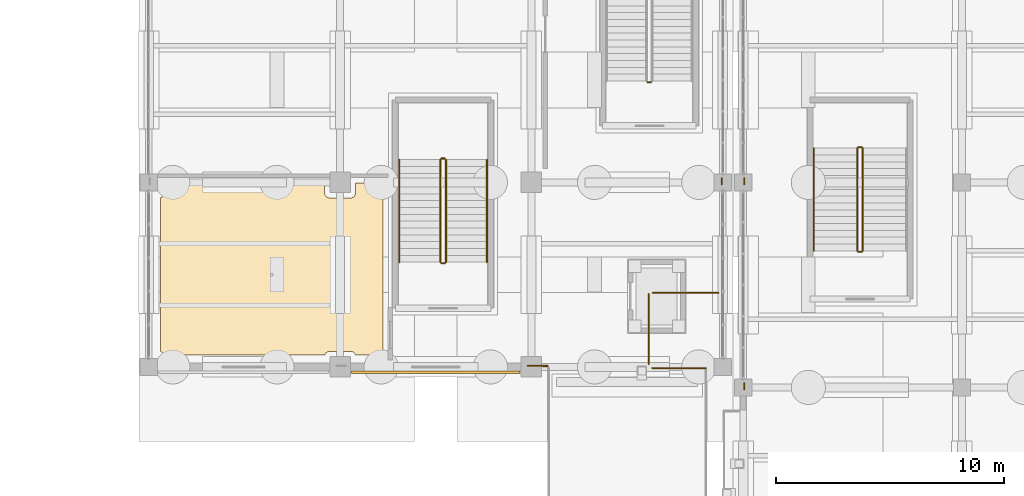
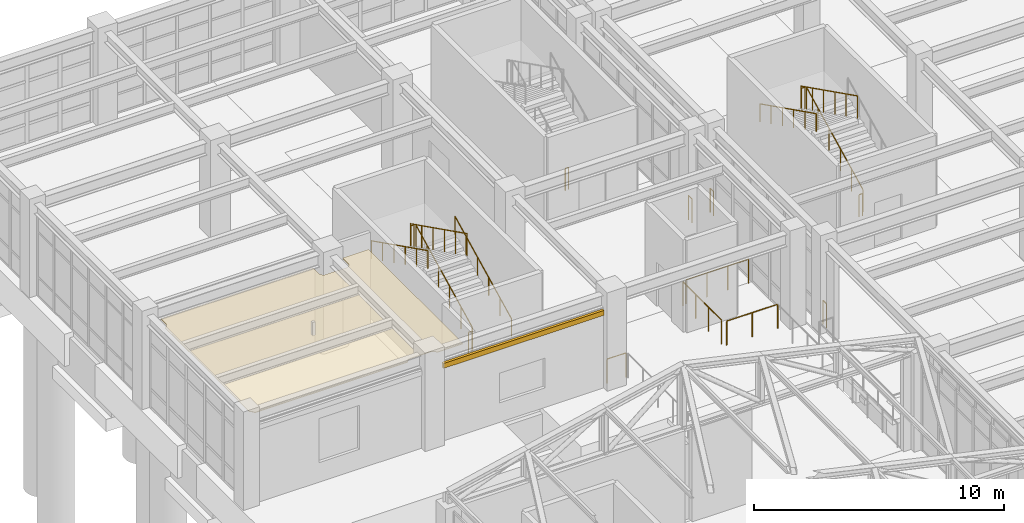
# One storey, part 134 of 139: 19 railings, 2 coverings.
"""IFC4 building model written with IfcOpenShell, lengths in metres."""

from ifc_helpers import new_model, si_unit, direction, frame, origin, origin_2d, place, context, subcontext, project, spatial, polyline, rectangle, circle, outline, extrude, material, layer, layer_set, type_object, element, save


model = new_model("IFC4")

# Units and contexts
model_context = context("Model", 3, precision=1e-05, world=origin(), true_north=direction((0.0, 1.0)))
body_context = subcontext(model_context, "Body", "Model", "MODEL_VIEW")
ifc_project = project(units=[si_unit("LENGTHUNIT", "METRE"), si_unit("AREAUNIT", "SQUARE_METRE"), si_unit("VOLUMEUNIT", "CUBIC_METRE"), si_unit("PLANEANGLEUNIT", "RADIAN"), si_unit("MASSUNIT", "GRAM", prefix="KILO")], contexts=[model_context])

# Site, building, storey
site_placement = place(None, origin())
site = spatial("IfcSite", under=ifc_project, at=site_placement, CompositionType="ELEMENT")
building_placement = place(site_placement, origin())
building = spatial("IfcBuilding", under=site, at=building_placement, Name="Canglan Escarpment Cableway Terminal", CompositionType="ELEMENT")
storey_placement = place(building_placement, frame((0.0, 0.0, 14.39990234375)))
storey = spatial("IfcBuildingStorey", under=building, at=storey_placement, Name="L03", CompositionType="ELEMENT", Elevation=14.39990234375)

# Coverings
ifc_material_1 = material(Name="Moisture-resistant acoustic gypsum ceiling", Category="gypsum")
ifc_layer_1 = layer(ifc_material_1, 0.030029296875, Name="Moisture-resistant acoustic gypsum ceiling")
ifc_layer_set_1 = layer_set([ifc_layer_1], Name="Moisture-resistant acoustic gypsum ceiling")
covering_type_1 = type_object("IfcCoveringType", Name="COV-CEIL-GYPSUM-30", PredefinedType="CEILING", material=ifc_layer_set_1)
covering_1_placement = place(storey_placement, frame((0.0, 0.0, 3.84619140625)))
element("IfcCovering", 1, at=covering_1_placement, inside=storey, type_object=covering_type_1, Name="Auxiliary Traction Drive Bay suspended acoustic ceiling", PredefinedType="CEILING", context=body_context, shape_type="SweptSolid", body=[
    extrude(outline(polyline([(112.033203125, 89.567138671875), (112.031494140625, 89.56787109375), (112.02978515625, 89.56884765625), (112.0283203125, 89.56982421875), (112.02685546875, 89.571044921875), (112.025390625, 89.572265625), (112.024169921875, 89.57373046875), (112.023193359375, 89.5751953125), (112.022216796875, 89.576904296875), (112.021484375, 89.57861328125), (112.020751953125, 89.580322265625), (112.0205078125, 89.582275390625), (112.02001953125, 89.583984375), (112.02001953125, 89.5859375), (112.02001953125, 96.31396484375), (112.02001953125, 96.31591796875), (112.0205078125, 96.31787109375), (112.020751953125, 96.319580078125), (112.021484375, 96.3212890625), (112.022216796875, 96.322998046875), (112.023193359375, 96.32470703125), (112.024169921875, 96.326416015625), (112.025390625, 96.32763671875), (112.02685546875, 96.3291015625), (112.0283203125, 96.330078125), (112.02978515625, 96.331298828125), (112.031494140625, 96.33203125), (112.033203125, 96.332763671875), (112.043701171875, 96.336669921875), (112.044677734375, 96.3369140625), (112.063232421875, 96.345703125), (112.064208984375, 96.34619140625), (112.081787109375, 96.356689453125), (112.08251953125, 96.357421875), (112.09912109375, 96.36962890625), (112.099853515625, 96.370361328125), (112.115234375, 96.384033203125), (112.115966796875, 96.384765625), (112.129638671875, 96.400146484375), (112.13037109375, 96.40087890625), (112.142578125, 96.41748046875), (112.143310546875, 96.418212890625), (112.15380859375, 96.435791015625), (112.154296875, 96.436767578125), (112.1630859375, 96.455322265625), (112.163330078125, 96.456298828125), (112.17041015625, 96.4755859375), (112.170654296875, 96.4765625), (112.17578125, 96.49658203125), (112.17578125, 96.49755859375), (112.178955078125, 96.51806640625), (112.178955078125, 96.518798828125), (112.179931640625, 96.539794921875), (112.179931640625, 96.540283203125), (112.179931640625, 96.9599609375), (112.18017578125, 96.9619140625), (112.180419921875, 96.9638671875), (112.180908203125, 96.9658203125), (112.181396484375, 96.9677734375), (112.182373046875, 96.969482421875), (112.183349609375, 96.97119140625), (112.1845703125, 96.97265625), (112.185791015625, 96.97412109375), (112.187255859375, 96.9755859375), (112.18896484375, 96.9765625), (112.190673828125, 96.9775390625), (112.1923828125, 96.978515625), (112.194091796875, 96.97900390625), (112.196044921875, 96.9794921875), (112.197998046875, 96.97998046875), (112.199951171875, 96.97998046875), (119.199951171875, 96.97998046875), (119.201904296875, 96.97998046875), (119.203857421875, 96.9794921875), (119.205810546875, 96.97900390625), (119.207763671875, 96.978515625), (119.20947265625, 96.9775390625), (119.211181640625, 96.9765625), (119.212646484375, 96.9755859375), (119.214111328125, 96.97412109375), (119.215576171875, 96.97265625), (119.216552734375, 96.97119140625), (119.217529296875, 96.969482421875), (119.218505859375, 96.9677734375), (119.218994140625, 96.9658203125), (119.219482421875, 96.9638671875), (119.219970703125, 96.9619140625), (119.219970703125, 96.9599609375), (119.219970703125, 96.540283203125), (119.219970703125, 96.539794921875), (119.220947265625, 96.518798828125), (119.22119140625, 96.51806640625), (119.22412109375, 96.49755859375), (119.224365234375, 96.49658203125), (119.2294921875, 96.4765625), (119.2294921875, 96.4755859375), (119.236572265625, 96.456298828125), (119.237060546875, 96.455322265625), (119.245849609375, 96.436767578125), (119.24609375, 96.435791015625), (119.2568359375, 96.418212890625), (119.25732421875, 96.41748046875), (119.26953125, 96.40087890625), (119.270263671875, 96.400146484375), (119.2841796875, 96.384765625), (119.284912109375, 96.384033203125), (119.300048828125, 96.370361328125), (119.30078125, 96.36962890625), (119.3173828125, 96.357421875), (119.318115234375, 96.356689453125), (119.3359375, 96.34619140625), (119.336669921875, 96.345703125), (119.35546875, 96.3369140625), (119.356201171875, 96.336669921875), (119.375732421875, 96.32958984375), (119.376708984375, 96.329345703125), (119.396484375, 96.32421875), (119.397705078125, 96.32421875), (119.41796875, 96.321044921875), (119.4189453125, 96.321044921875), (119.439697265625, 96.320068359375), (119.440185546875, 96.320068359375), (120.35986328125, 96.320068359375), (120.360107421875, 96.320068359375), (120.381103515625, 96.321044921875), (120.382080078125, 96.321044921875), (120.40234375, 96.32421875), (120.4033203125, 96.32421875), (120.42333984375, 96.329345703125), (120.42431640625, 96.32958984375), (120.443603515625, 96.336669921875), (120.444580078125, 96.3369140625), (120.46337890625, 96.345703125), (120.464111328125, 96.34619140625), (120.481689453125, 96.356689453125), (120.482666015625, 96.357421875), (120.499267578125, 96.36962890625), (120.5, 96.370361328125), (120.51513671875, 96.384033203125), (120.515869140625, 96.384765625), (120.52978515625, 96.400146484375), (120.530517578125, 96.40087890625), (120.54248046875, 96.41748046875), (120.543212890625, 96.418212890625), (120.5537109375, 96.435791015625), (120.55419921875, 96.436767578125), (120.56298828125, 96.455322265625), (120.5634765625, 96.456298828125), (120.5703125, 96.4755859375), (120.570556640625, 96.4765625), (120.57568359375, 96.49658203125), (120.57568359375, 96.49755859375), (120.578857421875, 96.51806640625), (120.5791015625, 96.518798828125), (120.580078125, 96.539794921875), (120.580078125, 96.540283203125), (120.580078125, 96.9599609375), (120.580078125, 96.9619140625), (120.580322265625, 96.9638671875), (120.580810546875, 96.9658203125), (120.58154296875, 96.9677734375), (120.58251953125, 96.969482421875), (120.58349609375, 96.97119140625), (120.58447265625, 96.97265625), (120.5859375, 96.97412109375), (120.58740234375, 96.9755859375), (120.5888671875, 96.9765625), (120.590576171875, 96.9775390625), (120.59228515625, 96.978515625), (120.59423828125, 96.97900390625), (120.59619140625, 96.9794921875), (120.597900390625, 96.97998046875), (120.60009765625, 96.97998046875), (121.760009765625, 96.97998046875), (121.761962890625, 96.97998046875), (121.763916015625, 96.9794921875), (121.765869140625, 96.97900390625), (121.767578125, 96.978515625), (121.769287109375, 96.9775390625), (121.77099609375, 96.9765625), (121.772705078125, 96.9755859375), (121.774169921875, 96.97412109375), (121.775390625, 96.97265625), (121.776611328125, 96.97119140625), (121.777587890625, 96.969482421875), (121.778564453125, 96.9677734375), (121.779052734375, 96.9658203125), (121.779541015625, 96.9638671875), (121.77978515625, 96.9619140625), (121.780029296875, 96.9599609375), (121.780029296875, 89.43994140625), (121.77978515625, 89.43798828125), (121.779541015625, 89.43603515625), (121.779052734375, 89.43408203125), (121.778564453125, 89.432373046875), (121.777587890625, 89.4306640625), (121.776611328125, 89.428955078125), (121.775390625, 89.42724609375), (121.774169921875, 89.42578125), (121.772705078125, 89.424560546875), (121.77099609375, 89.42333984375), (121.769287109375, 89.42236328125), (121.767578125, 89.42138671875), (121.765869140625, 89.4208984375), (121.763916015625, 89.42041015625), (121.761962890625, 89.420166015625), (121.760009765625, 89.419921875), (120.5859375, 89.419921875), (120.583984375, 89.420166015625), (120.582275390625, 89.42041015625), (120.580322265625, 89.4208984375), (120.57861328125, 89.42138671875), (120.576904296875, 89.422119140625), (120.5751953125, 89.423095703125), (120.57373046875, 89.42431640625), (120.572265625, 89.42529296875), (120.571044921875, 89.4267578125), (120.56982421875, 89.42822265625), (120.56884765625, 89.4296875), (120.56787109375, 89.431396484375), (120.567138671875, 89.433349609375), (120.5634765625, 89.443603515625), (120.56298828125, 89.444580078125), (120.55419921875, 89.46337890625), (120.5537109375, 89.464111328125), (120.543212890625, 89.481689453125), (120.54248046875, 89.482666015625), (120.530517578125, 89.499267578125), (120.52978515625, 89.5), (120.515869140625, 89.51513671875), (120.51513671875, 89.515869140625), (120.5, 89.52978515625), (120.499267578125, 89.530517578125), (120.482666015625, 89.54248046875), (120.481689453125, 89.543212890625), (120.464111328125, 89.5537109375), (120.46337890625, 89.55419921875), (120.444580078125, 89.56298828125), (120.443603515625, 89.5634765625), (120.42431640625, 89.5703125), (120.42333984375, 89.570556640625), (120.4033203125, 89.57568359375), (120.40234375, 89.57568359375), (120.382080078125, 89.578857421875), (120.381103515625, 89.5791015625), (120.360107421875, 89.580078125), (120.35986328125, 89.580078125), (119.440185546875, 89.580078125), (119.439697265625, 89.580078125), (119.4189453125, 89.5791015625), (119.41796875, 89.578857421875), (119.397705078125, 89.57568359375), (119.396484375, 89.57568359375), (119.376708984375, 89.570556640625), (119.375732421875, 89.5703125), (119.356201171875, 89.5634765625), (119.35546875, 89.56298828125), (119.336669921875, 89.55419921875), (119.3359375, 89.5537109375), (119.318115234375, 89.543212890625), (119.3173828125, 89.54248046875), (119.30078125, 89.530517578125), (119.300048828125, 89.52978515625), (119.284912109375, 89.515869140625), (119.2841796875, 89.51513671875), (119.270263671875, 89.5), (119.26953125, 89.499267578125), (119.25732421875, 89.482666015625), (119.2568359375, 89.481689453125), (119.24609375, 89.464111328125), (119.245849609375, 89.46337890625), (119.237060546875, 89.444580078125), (119.236572265625, 89.443603515625), (119.23291015625, 89.433349609375), (119.232177734375, 89.431396484375), (119.231201171875, 89.4296875), (119.230224609375, 89.42822265625), (119.22900390625, 89.4267578125), (119.227783203125, 89.42529296875), (119.226318359375, 89.42431640625), (119.224609375, 89.423095703125), (119.22314453125, 89.422119140625), (119.221435546875, 89.42138671875), (119.219482421875, 89.4208984375), (119.2177734375, 89.42041015625), (119.2158203125, 89.420166015625), (119.214111328125, 89.419921875), (112.18603515625, 89.419921875), (112.18408203125, 89.420166015625), (112.18212890625, 89.42041015625), (112.180419921875, 89.4208984375), (112.1787109375, 89.42138671875), (112.177001953125, 89.422119140625), (112.17529296875, 89.423095703125), (112.173583984375, 89.42431640625), (112.17236328125, 89.42529296875), (112.1708984375, 89.4267578125), (112.169921875, 89.42822265625), (112.168701171875, 89.4296875), (112.16796875, 89.431396484375), (112.167236328125, 89.433349609375), (112.163330078125, 89.443603515625), (112.1630859375, 89.444580078125), (112.154296875, 89.46337890625), (112.15380859375, 89.464111328125), (112.143310546875, 89.481689453125), (112.142578125, 89.482666015625), (112.13037109375, 89.499267578125), (112.129638671875, 89.5), (112.115966796875, 89.51513671875), (112.115234375, 89.515869140625), (112.099853515625, 89.52978515625), (112.09912109375, 89.530517578125), (112.08251953125, 89.54248046875), (112.081787109375, 89.543212890625), (112.064208984375, 89.5537109375), (112.063232421875, 89.55419921875), (112.044677734375, 89.56298828125), (112.043701171875, 89.5634765625), (112.033203125, 89.567138671875)])), origin(), (0.0, 0.0, 1.0), 0.02978515625),
])
ifc_material_2 = material(Name="Carved classical limestone cornice", Category="masonry")
ifc_layer_2 = layer(ifc_material_2, 0.1201171875, Name="Carved classical limestone cornice")
ifc_layer_set_2 = layer_set([ifc_layer_2], Name="Carved classical limestone cornice")
covering_type_2 = type_object("IfcCoveringType", Name="COV-CORNICE-STONE", PredefinedType="CLADDING", material=ifc_layer_set_2)
covering_2_placement = place(storey_placement, frame((124.10009765625, 88.669921875, 3.630859375), z_axis=(0.0, 0.0, 1.0), x_axis=(1.0, 0.0, 0.0)))
element("IfcCovering", 2, at=covering_2_placement, inside=storey, type_object=covering_type_2, Name="Classical carved limestone cornice CL-01", PredefinedType="CLADDING", context=body_context, shape_type="SweptSolid", body=[
    extrude(rectangle(XDim=7.39990234375, YDim=0.1201171875, at=origin_2d()), origin(), (0.0, 0.0, 1.0), 0.239990234375),
])

# Railings
ifc_material_3 = material(Name="Carved limestone and anodized bronze balustrade", Category="masonry")
railing_type_1 = type_object("IfcRailingType", Name="RL-EXT-BALUSTRADE-1200", PredefinedType="BALUSTRADE", material=ifc_material_3)
railing_1_placement = place(storey_placement, frame((129.0078125, 88.940673828125, 0.0)))
element("IfcRailing", 3, at=railing_1_placement, inside=storey, type_object=railing_type_1, Name="Classical terrace balustrade guard GD-01 (L03)", PredefinedType="BALUSTRADE", context=body_context, shape_type="SweptSolid", body=[
    extrude(circle(Radius=0.02392578125, at=origin_2d()), frame((0.0, 0.0, 1.17578125), z_axis=(-0.999942875716, 0.010688559572, 0.0), x_axis=(-0.010688559572, -0.999942875716, 0.0)), (0.0, 0.0, 1.0), 0.867919921875),
    extrude(circle(Radius=0.02099609375, at=origin_2d()), origin(), (0.0, 0.0, 1.0), 1.15185546875),
    extrude(circle(Radius=0.02099609375, at=origin_2d()), frame((-0.867919921875, 0.00927734375, 0.0)), (0.0, 0.0, 1.0), 1.15185546875),
])
railing_2_placement = place(storey_placement, frame((136.64990234375, 97.18505859375, 0.0)))
element("IfcRailing", 4, at=railing_2_placement, inside=storey, type_object=railing_type_1, Name="Classical terrace balustrade guard GD-01 (L03)", PredefinedType="BALUSTRADE", context=body_context, shape_type="SweptSolid", body=[
    extrude(circle(Radius=0.02392578125, at=origin_2d()), frame((0.0, 0.0, 1.17578125), z_axis=(0.0, -1.0, 0.0), x_axis=(1.0, 0.0, 0.0)), (0.0, 0.0, 1.0), 0.27001953125),
    extrude(circle(Radius=0.02099609375, at=origin_2d()), origin(), (0.0, 0.0, 1.0), 1.15185546875),
    extrude(circle(Radius=0.02099609375, at=origin_2d()), frame((0.0, -0.27001953125, 0.0)), (0.0, 0.0, 1.0), 1.15185546875),
])
railing_3_placement = place(storey_placement, frame((136.510009765625, 92.14990234375, 0.0)))
element("IfcRailing", 5, at=railing_3_placement, inside=storey, type_object=railing_type_1, Name="Classical terrace balustrade guard GD-01 (L03)", PredefinedType="BALUSTRADE", context=body_context, shape_type="SweptSolid", body=[
    extrude(circle(Radius=0.02392578125, at=origin_2d()), frame((0.0, 0.0, 1.17578125), z_axis=(-1.0, 0.0, 0.0), x_axis=(0.0, -1.0, 0.0)), (0.0, 0.0, 1.0), 2.880126953125),
    extrude(circle(Radius=0.02099609375, at=origin_2d()), origin(), (0.0, 0.0, 1.0), 1.15185546875),
    extrude(circle(Radius=0.02099609375, at=origin_2d()), frame((-0.9599609375, 0.0, 0.0)), (0.0, 0.0, 1.0), 1.15185546875),
    extrude(circle(Radius=0.02099609375, at=origin_2d()), frame((-1.920166015625, 0.0, 0.0)), (0.0, 0.0, 1.0), 1.15185546875),
    extrude(circle(Radius=0.02099609375, at=origin_2d()), frame((-2.880126953125, 0.0, 0.0)), (0.0, 0.0, 1.0), 1.15185546875),
])
railing_4_placement = place(storey_placement, frame((133.4560546875, 92.1005859375, 0.0)))
element("IfcRailing", 6, at=railing_4_placement, inside=storey, type_object=railing_type_1, Name="Classical terrace balustrade guard GD-01 (L03)", PredefinedType="BALUSTRADE", context=body_context, shape_type="SweptSolid", body=[
    extrude(circle(Radius=0.02392578125, at=origin_2d()), frame((0.0, 0.0, 1.17578125), z_axis=(-0.001984438068, -0.999998031001, 0.0), x_axis=(0.999998031001, -0.001984438068, 0.0)), (0.0, 0.0, 1.0), 3.07568359375),
    extrude(circle(Radius=0.02099609375, at=origin_2d()), origin(), (0.0, 0.0, 1.0), 1.15185546875),
    extrude(circle(Radius=0.02099609375, at=origin_2d()), frame((-0.001953125, -1.025146484375, 0.0)), (0.0, 0.0, 1.0), 1.15185546875),
    extrude(circle(Radius=0.02099609375, at=origin_2d()), frame((-0.004150390625, -2.050537109375, 0.0)), (0.0, 0.0, 1.0), 1.15185546875),
    extrude(circle(Radius=0.02099609375, at=origin_2d()), frame((-0.006103515625, -3.07568359375, 0.0)), (0.0, 0.0, 1.0), 1.15185546875),
])
railing_5_placement = place(storey_placement, frame((133.599365234375, 88.85107421875, 0.0)))
element("IfcRailing", 7, at=railing_5_placement, inside=storey, type_object=railing_type_1, Name="Classical terrace balustrade guard GD-01 (L03)", PredefinedType="BALUSTRADE", context=body_context, shape_type="SweptSolid", body=[
    extrude(circle(Radius=0.02392578125, at=origin_2d()), frame((0.0, 0.0, 1.17578125), z_axis=(0.99999662326, -0.002598743823, 0.0), x_axis=(0.002598743823, 0.99999662326, 0.0)), (0.0, 0.0, 1.0), 2.3486328125),
    extrude(circle(Radius=0.02099609375, at=origin_2d()), origin(), (0.0, 0.0, 1.0), 1.15185546875),
    extrude(circle(Radius=0.02099609375, at=origin_2d()), frame((1.17431640625, -0.0029296875, 0.0)), (0.0, 0.0, 1.0), 1.15185546875),
    extrude(circle(Radius=0.02099609375, at=origin_2d()), frame((2.3486328125, -0.006103515625, 0.0)), (0.0, 0.0, 1.0), 1.15185546875),
])
for number, where, name in (
    (8, (137.64990234375, 87.9150390625, 0.0), "Classical terrace balustrade guard GD-01 (L03)"),
    (9, (137.64990234375, 96.9150390625, 0.0), "Classical terrace balustrade guard GD-01 (L03)"),
):
    element("IfcRailing", number, at=place(storey_placement, frame(where)), inside=storey, type_object=railing_type_1, Name=name, PredefinedType="BALUSTRADE", context=body_context, shape_type="SweptSolid", body=[
        extrude(circle(Radius=0.02392578125, at=origin_2d()), frame((0.0, 0.0, 1.17578125), z_axis=(0.0, 1.0, 0.0), x_axis=(-1.0, 0.0, 0.0)), (0.0, 0.0, 1.0), 0.27001953125),
        extrude(circle(Radius=0.02099609375, at=origin_2d()), origin(), (0.0, 0.0, 1.0), 1.15185546875),
        extrude(circle(Radius=0.02099609375, at=origin_2d()), frame((0.0, 0.27001953125, 0.0)), (0.0, 0.0, 1.0), 1.15185546875),
    ])
ifc_material_4 = material(Name="Powder-coated steel stair balustrade", Category="steel")
railing_type_2 = type_object("IfcRailingType", Name="RL-STR-GUARD-1100", PredefinedType="BALUSTRADE", material=ifc_material_4)
railing_6_placement = place(storey_placement, frame((124.550048828125, 93.5, 0.150146484375)))
element("IfcRailing", 10, at=railing_6_placement, inside=storey, type_object=railing_type_2, Name="L03 ST-12 stair guard 1", PredefinedType="BALUSTRADE", context=body_context, shape_type="SweptSolid", body=[
    extrude(circle(Radius=0.02392578125, at=origin_2d()), frame((0.0, 0.0, 1.076171875), z_axis=(0.0, 0.894427191, 0.4472135955), x_axis=(-1.0, 0.0, 0.0)), (0.0, 0.0, 1.0), 5.03125),
    extrude(circle(Radius=0.02099609375, at=origin_2d()), origin(), (0.0, 0.0, 1.0), 1.052001953125),
    extrude(circle(Radius=0.02099609375, at=origin_2d()), frame((0.0, 0.89990234375, 0.449951171875)), (0.0, 0.0, 1.0), 1.052001953125),
    extrude(circle(Radius=0.02099609375, at=origin_2d()), frame((0.0, 1.800048828125, 0.89990234375)), (0.0, 0.0, 1.0), 1.052001953125),
    extrude(circle(Radius=0.02099609375, at=origin_2d()), frame((0.0, 2.699951171875, 1.35009765625)), (0.0, 0.0, 1.0), 1.052001953125),
    extrude(circle(Radius=0.02099609375, at=origin_2d()), frame((0.0, 3.60009765625, 1.800048828125)), (0.0, 0.0, 1.0), 1.052001953125),
    extrude(circle(Radius=0.02099609375, at=origin_2d()), frame((0.0, 4.5, 2.25)), (0.0, 0.0, 1.0), 1.052001953125),
])
railing_7_placement = place(storey_placement, frame((124.5, 98.050048828125, 2.400146484375)))
element("IfcRailing", 11, at=railing_7_placement, inside=storey, type_object=railing_type_2, Name="L03 ST-12 stair guard 2", PredefinedType="BALUSTRADE", context=body_context, shape_type="SweptSolid", body=[
    extrude(circle(Radius=0.02392578125, at=origin_2d()), frame((0.0, 0.0, 1.076171875), z_axis=(-1.0, 0.0, 0.0), x_axis=(0.0, -1.0, 0.0)), (0.0, 0.0, 1.0), 0.14990234375),
    extrude(circle(Radius=0.02099609375, at=origin_2d()), origin(), (0.0, 0.0, 1.0), 1.052001953125),
    extrude(circle(Radius=0.02099609375, at=origin_2d()), frame((-0.14990234375, 0.0, 0.0)), (0.0, 0.0, 1.0), 1.052001953125),
])
railing_8_placement = place(storey_placement, frame((124.300048828125, 98.0, 2.550048828125)))
element("IfcRailing", 12, at=railing_8_placement, inside=storey, type_object=railing_type_2, Name="L03 ST-12 stair guard 3", PredefinedType="BALUSTRADE", context=body_context, shape_type="SweptSolid", body=[
    extrude(circle(Radius=0.02392578125, at=origin_2d()), frame((0.0, 0.0, 1.076171875), z_axis=(0.0, -0.894427191, 0.4472135955), x_axis=(1.0, 0.0, 0.0)), (0.0, 0.0, 1.0), 5.03125),
    extrude(circle(Radius=0.02099609375, at=origin_2d()), origin(), (0.0, 0.0, 1.0), 1.052001953125),
    extrude(circle(Radius=0.02099609375, at=origin_2d()), frame((0.0, -0.89990234375, 0.449951171875)), (0.0, 0.0, 1.0), 1.052001953125),
    extrude(circle(Radius=0.02099609375, at=origin_2d()), frame((0.0, -1.800048828125, 0.89990234375)), (0.0, 0.0, 1.0), 1.052001953125),
    extrude(circle(Radius=0.02099609375, at=origin_2d()), frame((0.0, -2.699951171875, 1.35009765625)), (0.0, 0.0, 1.0), 1.052001953125),
    extrude(circle(Radius=0.02099609375, at=origin_2d()), frame((0.0, -3.60009765625, 1.800048828125)), (0.0, 0.0, 1.0), 1.052001953125),
    extrude(circle(Radius=0.02099609375, at=origin_2d()), frame((0.0, -4.5, 2.25)), (0.0, 0.0, 1.0), 1.052001953125),
])
railing_9_placement = place(storey_placement, frame((124.5, 93.449951171875, 0.0)))
element("IfcRailing", 13, at=railing_9_placement, inside=storey, type_object=railing_type_2, Name="L03 ST-12 stair guard 4", PredefinedType="BALUSTRADE", context=body_context, shape_type="SweptSolid", body=[
    extrude(circle(Radius=0.02392578125, at=origin_2d()), frame((0.0, 0.0, 1.076171875), z_axis=(-1.0, 0.0, 0.0), x_axis=(0.0, -1.0, 0.0)), (0.0, 0.0, 1.0), 0.14990234375),
    extrude(circle(Radius=0.02099609375, at=origin_2d()), origin(), (0.0, 0.0, 1.0), 1.052001953125),
    extrude(circle(Radius=0.02099609375, at=origin_2d()), frame((-0.14990234375, 0.0, 0.0)), (0.0, 0.0, 1.0), 1.052001953125),
])
railing_10_placement = place(storey_placement, frame((133.550048828125, 101.39990234375, 0.0)))
element("IfcRailing", 14, at=railing_10_placement, inside=storey, type_object=railing_type_2, Name="L03 ST-18 stair guard 4", PredefinedType="BALUSTRADE", context=body_context, shape_type="SweptSolid", body=[
    extrude(circle(Radius=0.02392578125, at=origin_2d()), frame((0.0, 0.0, 1.076171875), z_axis=(-1.0, 0.0, 0.0), x_axis=(0.0, -1.0, 0.0)), (0.0, 0.0, 1.0), 0.150146484375),
    extrude(circle(Radius=0.02099609375, at=origin_2d()), origin(), (0.0, 0.0, 1.0), 1.052001953125),
    extrude(circle(Radius=0.02099609375, at=origin_2d()), frame((-0.150146484375, 0.0, 0.0)), (0.0, 0.0, 1.0), 1.052001953125),
])
railing_11_placement = place(storey_placement, frame((142.85009765625, 94.0, 0.150146484375)))
element("IfcRailing", 15, at=railing_11_placement, inside=storey, type_object=railing_type_2, Name="L03 ST-16 stair guard 1", PredefinedType="BALUSTRADE", context=body_context, shape_type="SweptSolid", body=[
    extrude(circle(Radius=0.02392578125, at=origin_2d()), frame((0.0, 0.0, 1.076171875), z_axis=(0.0, 0.894427191, 0.4472135955), x_axis=(-1.0, 0.0, 0.0)), (0.0, 0.0, 1.0), 5.03125),
    extrude(circle(Radius=0.02099609375, at=origin_2d()), origin(), (0.0, 0.0, 1.0), 1.052001953125),
    extrude(circle(Radius=0.02099609375, at=origin_2d()), frame((0.0, 0.89990234375, 0.449951171875)), (0.0, 0.0, 1.0), 1.052001953125),
    extrude(circle(Radius=0.02099609375, at=origin_2d()), frame((0.0, 1.800048828125, 0.89990234375)), (0.0, 0.0, 1.0), 1.052001953125),
    extrude(circle(Radius=0.02099609375, at=origin_2d()), frame((0.0, 2.699951171875, 1.35009765625)), (0.0, 0.0, 1.0), 1.052001953125),
    extrude(circle(Radius=0.02099609375, at=origin_2d()), frame((0.0, 3.60009765625, 1.800048828125)), (0.0, 0.0, 1.0), 1.052001953125),
    extrude(circle(Radius=0.02099609375, at=origin_2d()), frame((0.0, 4.5, 2.25)), (0.0, 0.0, 1.0), 1.052001953125),
])
railing_12_placement = place(storey_placement, frame((142.800048828125, 98.550048828125, 2.400146484375)))
element("IfcRailing", 16, at=railing_12_placement, inside=storey, type_object=railing_type_2, Name="L03 ST-16 stair guard 2", PredefinedType="BALUSTRADE", context=body_context, shape_type="SweptSolid", body=[
    extrude(circle(Radius=0.02392578125, at=origin_2d()), frame((0.0, 0.0, 1.076171875), z_axis=(-1.0, 0.0, 0.0), x_axis=(0.0, -1.0, 0.0)), (0.0, 0.0, 1.0), 0.150146484375),
    extrude(circle(Radius=0.02099609375, at=origin_2d()), origin(), (0.0, 0.0, 1.0), 1.052001953125),
    extrude(circle(Radius=0.02099609375, at=origin_2d()), frame((-0.150146484375, 0.0, 0.0)), (0.0, 0.0, 1.0), 1.052001953125),
])
railing_13_placement = place(storey_placement, frame((142.60009765625, 98.5, 2.550048828125)))
element("IfcRailing", 17, at=railing_13_placement, inside=storey, type_object=railing_type_2, Name="L03 ST-16 stair guard 3", PredefinedType="BALUSTRADE", context=body_context, shape_type="SweptSolid", body=[
    extrude(circle(Radius=0.02392578125, at=origin_2d()), frame((0.0, 0.0, 1.076171875), z_axis=(0.0, -0.894427191, 0.4472135955), x_axis=(1.0, 0.0, 0.0)), (0.0, 0.0, 1.0), 5.03125),
    extrude(circle(Radius=0.02099609375, at=origin_2d()), origin(), (0.0, 0.0, 1.0), 1.052001953125),
    extrude(circle(Radius=0.02099609375, at=origin_2d()), frame((0.0, -0.89990234375, 0.449951171875)), (0.0, 0.0, 1.0), 1.052001953125),
    extrude(circle(Radius=0.02099609375, at=origin_2d()), frame((0.0, -1.800048828125, 0.89990234375)), (0.0, 0.0, 1.0), 1.052001953125),
    extrude(circle(Radius=0.02099609375, at=origin_2d()), frame((0.0, -2.699951171875, 1.35009765625)), (0.0, 0.0, 1.0), 1.052001953125),
    extrude(circle(Radius=0.02099609375, at=origin_2d()), frame((0.0, -3.60009765625, 1.800048828125)), (0.0, 0.0, 1.0), 1.052001953125),
    extrude(circle(Radius=0.02099609375, at=origin_2d()), frame((0.0, -4.5, 2.25)), (0.0, 0.0, 1.0), 1.052001953125),
])
railing_14_placement = place(storey_placement, frame((142.800048828125, 93.949951171875, 0.0)))
element("IfcRailing", 18, at=railing_14_placement, inside=storey, type_object=railing_type_2, Name="L03 ST-16 stair guard 4", PredefinedType="BALUSTRADE", context=body_context, shape_type="SweptSolid", body=[
    extrude(circle(Radius=0.02392578125, at=origin_2d()), frame((0.0, 0.0, 1.076171875), z_axis=(-1.0, 0.0, 0.0), x_axis=(0.0, -1.0, 0.0)), (0.0, 0.0, 1.0), 0.150146484375),
    extrude(circle(Radius=0.02099609375, at=origin_2d()), origin(), (0.0, 0.0, 1.0), 1.052001953125),
    extrude(circle(Radius=0.02099609375, at=origin_2d()), frame((-0.150146484375, 0.0, 0.0)), (0.0, 0.0, 1.0), 1.052001953125),
])
ifc_material_5 = material(Name="Brushed stainless steel 304 handrail", Category="steel")
railing_type_3 = type_object("IfcRailingType", Name="RL-STR-HR-900", PredefinedType="HANDRAIL", material=ifc_material_5)
railing_15_placement = place(storey_placement, frame((126.35009765625, 93.5, 0.150146484375)))
element("IfcRailing", 19, at=railing_15_placement, inside=storey, type_object=railing_type_3, Name="L03 ST-12 stair handrail 1", PredefinedType="HANDRAIL", context=body_context, shape_type="SweptSolid", body=[
    extrude(circle(Radius=0.02392578125, at=origin_2d()), frame((0.0, 0.0, 0.8759765625), z_axis=(0.0, 0.894427191, 0.4472135955), x_axis=(-1.0, 0.0, 0.0)), (0.0, 0.0, 1.0), 5.03125),
    extrude(circle(Radius=0.02099609375, at=origin_2d()), origin(), (0.0, 0.0, 1.0), 0.851806640625),
    extrude(circle(Radius=0.02099609375, at=origin_2d()), frame((0.0, 0.89990234375, 0.449951171875)), (0.0, 0.0, 1.0), 0.851806640625),
    extrude(circle(Radius=0.02099609375, at=origin_2d()), frame((0.0, 1.800048828125, 0.89990234375)), (0.0, 0.0, 1.0), 0.851806640625),
    extrude(circle(Radius=0.02099609375, at=origin_2d()), frame((0.0, 2.699951171875, 1.35009765625)), (0.0, 0.0, 1.0), 0.851806640625),
    extrude(circle(Radius=0.02099609375, at=origin_2d()), frame((0.0, 3.60009765625, 1.800048828125)), (0.0, 0.0, 1.0), 0.851806640625),
    extrude(circle(Radius=0.02099609375, at=origin_2d()), frame((0.0, 4.5, 2.25)), (0.0, 0.0, 1.0), 0.851806640625),
])
for number, where, name in (
    (20, (122.5, 98.0, 2.550048828125), "L03 ST-12 stair handrail 2"),
    (21, (140.699951171875, 98.5, 2.550048828125), "L03 ST-16 stair handrail 2"),
):
    element("IfcRailing", number, at=place(storey_placement, frame(where)), inside=storey, type_object=railing_type_3, Name=name, PredefinedType="HANDRAIL", context=body_context, shape_type="SweptSolid", body=[
        extrude(circle(Radius=0.02392578125, at=origin_2d()), frame((0.0, 0.0, 0.8759765625), z_axis=(0.0, -0.894427191, 0.4472135955), x_axis=(1.0, 0.0, 0.0)), (0.0, 0.0, 1.0), 5.03125),
        extrude(circle(Radius=0.02099609375, at=origin_2d()), origin(), (0.0, 0.0, 1.0), 0.851806640625),
        extrude(circle(Radius=0.02099609375, at=origin_2d()), frame((0.0, -0.89990234375, 0.449951171875)), (0.0, 0.0, 1.0), 0.851806640625),
        extrude(circle(Radius=0.02099609375, at=origin_2d()), frame((0.0, -1.800048828125, 0.89990234375)), (0.0, 0.0, 1.0), 0.851806640625),
        extrude(circle(Radius=0.02099609375, at=origin_2d()), frame((0.0, -2.699951171875, 1.35009765625)), (0.0, 0.0, 1.0), 0.851806640625),
        extrude(circle(Radius=0.02099609375, at=origin_2d()), frame((0.0, -3.60009765625, 1.800048828125)), (0.0, 0.0, 1.0), 0.851806640625),
        extrude(circle(Radius=0.02099609375, at=origin_2d()), frame((0.0, -4.5, 2.25)), (0.0, 0.0, 1.0), 0.851806640625),
    ])

save(model, "model.ifc")
